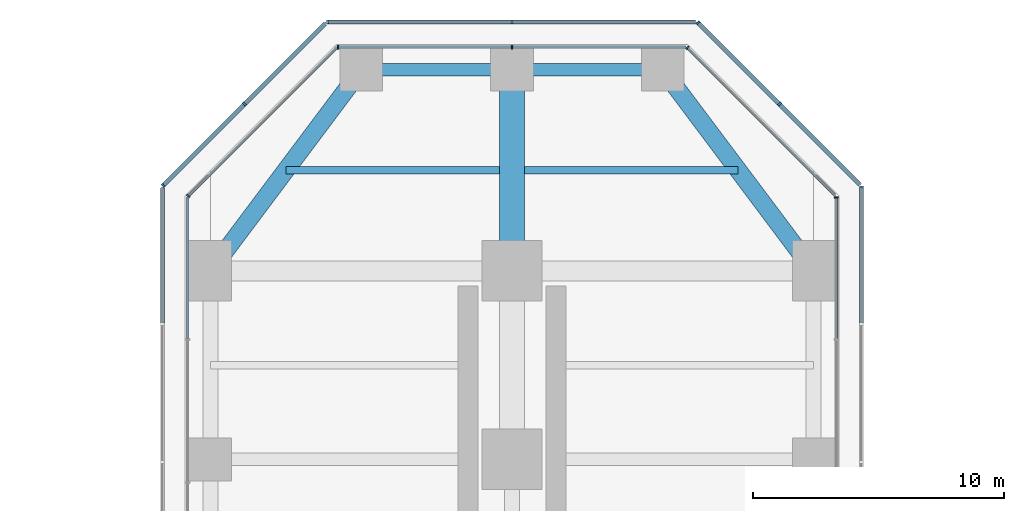
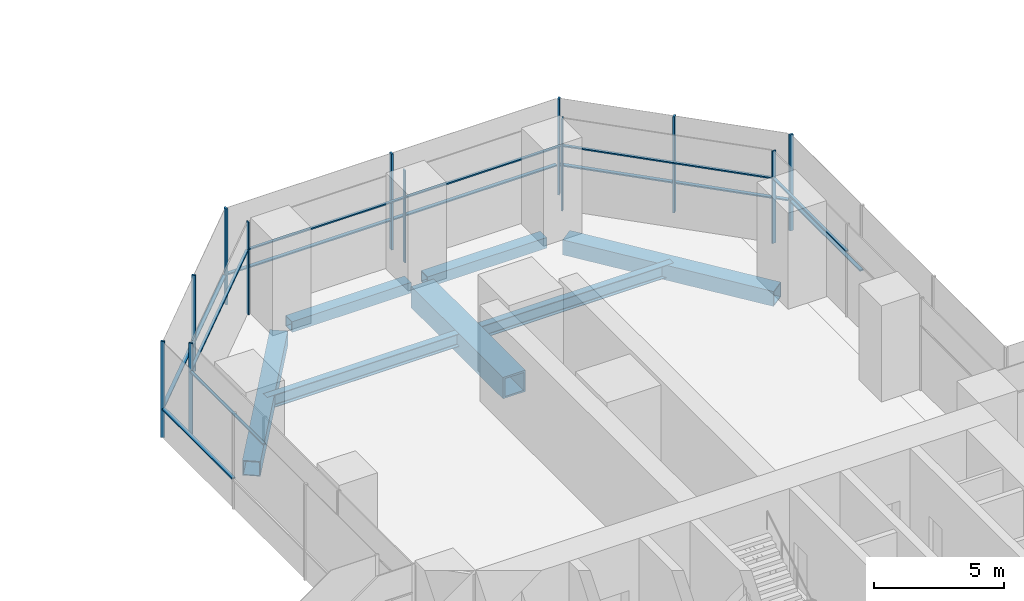
# One storey, part 12 of 27: 26 members, 7 beams, 10 elements without a shape of their own.
"""IFC4 building model written with IfcOpenShell, lengths in metres."""

from ifc_helpers import new_model, si_unit, direction, frame, origin, origin_2d, place, context, subcontext, project, spatial, rectangle, hollow_rectangle, i_section, extrude, material, material_profile, profile_set, type_object, element, aggregate, save


model = new_model("IFC4")

# Units and contexts
model_context = context("Model", 3, precision=1e-05, world=origin(), true_north=direction((0.0, 1.0)))
body_context = subcontext(model_context, "Body", "Model", "MODEL_VIEW")
ifc_project = project(units=[si_unit("LENGTHUNIT", "METRE"), si_unit("AREAUNIT", "SQUARE_METRE"), si_unit("VOLUMEUNIT", "CUBIC_METRE"), si_unit("PLANEANGLEUNIT", "RADIAN"), si_unit("MASSUNIT", "GRAM", prefix="KILO")], contexts=[model_context])

# Site, building, storey
site_placement = place(None, origin())
site = spatial("IfcSite", under=ifc_project, at=site_placement, CompositionType="ELEMENT")
building_placement = place(site_placement, origin())
building = spatial("IfcBuilding", under=site, at=building_placement, Name="Mizan Broadcast Tower", CompositionType="ELEMENT")
storey_placement = place(building_placement, frame((0.0, 0.0, 113.699951171875)))
storey = spatial("IfcBuildingStorey", under=building, at=storey_placement, Name="L25", CompositionType="ELEMENT", Elevation=113.699951171875)

# Beams
ifc_material_1 = material(Name="Steel S355", Category="steel")
ifc_material_profile_1 = material_profile(ifc_material_1, hollow_rectangle(XDim=0.5, YDim=0.5, WallThickness=0.030029296875, at=origin_2d()), Name="BOX 500x500x30")
ifc_profile_set_1 = profile_set([ifc_material_profile_1], Name="Steel S355")
beam_type_1 = type_object("IfcBeamType", Name="EDGE BEAM BOX 500x500x30", PredefinedType="SPANDREL", material=ifc_profile_set_1)
for number, where, z_axis, x_axis, name in (
    (1, (5.639892578125, 35.0, -0.3798828125), (-1.0, 0.0, 0.0), (0.0, -1.0, 0.0), "Edge beam BOX 500x500x30 L25 north arm"),
    (2, (-5.639892578125, 35.0, -0.3798828125), (1.0, 0.0, 0.0), (0.0, 1.0, 0.0), "Edge beam BOX 500x500x30 L25 north arm"),
):
    element("IfcBeam", number, at=place(storey_placement, frame(where, z_axis=z_axis, x_axis=x_axis)), inside=storey, type_object=beam_type_1, Name=name, PredefinedType="SPANDREL", context=body_context, shape_type="SweptSolid", body=[
        extrude(hollow_rectangle(XDim=0.5, YDim=0.5, WallThickness=0.030029296875, at=origin_2d()), origin(), (0.0, 0.0, 1.0), 5.27978515625),
    ])
ifc_material_2 = material(Name="Steel S355", Category="steel")
ifc_material_profile_2 = material_profile(ifc_material_2, hollow_rectangle(XDim=0.699951171875, YDim=0.699951171875, WallThickness=0.0400390625, at=origin_2d()), Name="BOX 700x700x40")
ifc_profile_set_2 = profile_set([ifc_material_profile_2], Name="Steel S355")
beam_type_2 = type_object("IfcBeamType", Name="EDGE BEAM BOX 700x700x40", PredefinedType="SPANDREL", material=ifc_profile_set_2)
for number, where, z_axis, x_axis, name in (
    (3, (11.639892578125, 27.47998046875, -0.47998046875), (-0.599982243973, 0.800013316712, 0.0), (-0.800013316712, -0.599982243973, 0.0), "Edge beam BOX 700x700x40 L25 north arm"),
    (4, (-11.639892578125, 27.47998046875, -0.47998046875), (0.599982243973, 0.800013316712, 0.0), (-0.800013316712, 0.599982243973, 0.0), "Edge beam BOX 700x700x40 L25 north arm"),
):
    element("IfcBeam", number, at=place(storey_placement, frame(where, z_axis=z_axis, x_axis=x_axis)), inside=storey, type_object=beam_type_2, Name=name, PredefinedType="SPANDREL", context=body_context, shape_type="SweptSolid", body=[
        extrude(hollow_rectangle(XDim=0.699951171875, YDim=0.699951171875, WallThickness=0.0400390625, at=origin_2d()), origin(), (0.0, 0.0, 1.0), 8.7998046875),
    ])
ifc_material_3 = material(Name="Steel S460", Category="steel")
ifc_material_profile_3 = material_profile(ifc_material_3, hollow_rectangle(XDim=1.0, YDim=1.0, WallThickness=0.080078125, at=origin_2d()), Name="BOX 1000x1000x80")
ifc_profile_set_3 = profile_set([ifc_material_profile_3], Name="Steel S460")
beam_type_3 = type_object("IfcBeamType", Name="GIRDER BOX 1000x1000x80", PredefinedType="BEAM", material=ifc_profile_set_3)
beam_placement = place(storey_placement, frame((0.0, 27.47998046875, -0.6298828125), z_axis=(0.0, 1.0, 0.0), x_axis=(-1.0, 0.0, 0.0)))
element("IfcBeam", 5, at=beam_placement, inside=storey, type_object=beam_type_3, Name="Girder BOX 1000x1000x80 L25 north arm", PredefinedType="BEAM", context=body_context, shape_type="SweptSolid", body=[
    extrude(hollow_rectangle(XDim=1.0, YDim=1.0, WallThickness=0.080078125, at=origin_2d()), origin(), (0.0, 0.0, 1.0), 7.0400390625),
])

# Curtain wall, member
ifc_material_4 = material(Name="Aluminium framed glazing", Category="aluminium")
curtain_wall_type_1 = type_object("IfcCurtainWallType", Name="INNER SKIN MID ZONE", PredefinedType="USERDEFINED", material=ifc_material_4)
curtain_wall_1_placement = place(storey_placement, origin())
curtain_wall_1 = element("IfcCurtainWall", 6, at=curtain_wall_1_placement, inside=storey, type_object=curtain_wall_type_1, Name="Inner skin mid zone L25 N side", ObjectType="INNER SKIN MID ZONE", PredefinedType="USERDEFINED")
ifc_material_5 = material(Name="Aluminium, pale anodised", Category="aluminium")
ifc_material_profile_4 = material_profile(ifc_material_5, rectangle(XDim=0.159912109375, YDim=0.06005859375, at=origin_2d()), Name="MULLION 160x60")
ifc_profile_set_4 = profile_set([ifc_material_profile_4], Name="Aluminium, pale anodised")
member_type_1 = type_object("IfcMemberType", Name="INNER SKIN MULLION 60x160", PredefinedType="MULLION", material=ifc_profile_set_4)
member_1_placement = place(storey_placement, frame((12.89990234375, 29.928466796875, 0.0), z_axis=(0.0, 0.0, 1.0), x_axis=(-1.0, 0.0, 0.0)))
member_1 = element("IfcMember", 7, at=member_1_placement, type_object=member_type_1, Name="Inner skin mid zone L25 N side mullion 4", PredefinedType="MULLION", context=body_context, shape_type="SweptSolid", body=[
    extrude(rectangle(XDim=0.159912109375, YDim=0.06005859375, at=origin_2d()), origin(), (0.0, 0.0, 1.0), 4.320068359375),
])

curtain_wall_2_placement = place(storey_placement, origin())
curtain_wall_2 = element("IfcCurtainWall", 8, at=curtain_wall_2_placement, inside=storey, type_object=curtain_wall_type_1, Name="Inner skin mid zone L25 N chamfer", ObjectType="INNER SKIN MID ZONE", PredefinedType="USERDEFINED")
member_2_placement = place(storey_placement, frame((6.979736328125, 35.87890625, 0.0), z_axis=(0.0, 0.0, 1.0), x_axis=(-0.707106781187, -0.707106781187, 0.0)))
member_2 = element("IfcMember", 9, at=member_2_placement, type_object=member_type_1, Name="Inner skin mid zone L25 N chamfer mullion 2", PredefinedType="MULLION", context=body_context, shape_type="SweptSolid", body=[
    extrude(rectangle(XDim=0.159912109375, YDim=0.06005859375, at=origin_2d()), origin(), (0.0, 0.0, 1.0), 4.320068359375),
])

# Curtain wall, members
curtain_wall_3_placement = place(storey_placement, origin())
curtain_wall_3 = element("IfcCurtainWall", 10, at=curtain_wall_3_placement, inside=storey, type_object=curtain_wall_type_1, Name="Inner skin mid zone L25 N end", ObjectType="INNER SKIN MID ZONE", PredefinedType="USERDEFINED")
member_3_placement = place(storey_placement, frame((0.0, 35.89990234375, 0.0), z_axis=(0.0, 0.0, 1.0), x_axis=(0.0, -1.0, 0.0)))
member_3 = element("IfcMember", 11, at=member_3_placement, type_object=member_type_1, Name="Inner skin mid zone L25 N end mullion 2", PredefinedType="MULLION", context=body_context, shape_type="SweptSolid", body=[
    extrude(rectangle(XDim=0.159912109375, YDim=0.06005859375, at=origin_2d()), origin(), (0.0, 0.0, 1.0), 4.320068359375),
])
member_4_placement = place(storey_placement, frame((-6.928466796875, 35.89990234375, 0.0), z_axis=(0.0, 0.0, 1.0), x_axis=(0.0, -1.0, 0.0)))
member_4 = element("IfcMember", 12, at=member_4_placement, type_object=member_type_1, Name="Inner skin mid zone L25 N end mullion 3", PredefinedType="MULLION", context=body_context, shape_type="SweptSolid", body=[
    extrude(rectangle(XDim=0.159912109375, YDim=0.06005859375, at=origin_2d()), origin(), (0.0, 0.0, 1.0), 4.320068359375),
])

# Curtain wall, member
curtain_wall_4_placement = place(storey_placement, origin())
curtain_wall_4 = element("IfcCurtainWall", 13, at=curtain_wall_4_placement, inside=storey, type_object=curtain_wall_type_1, Name="Inner skin mid zone L25 N chamfer", ObjectType="INNER SKIN MID ZONE", PredefinedType="USERDEFINED")
member_5_placement = place(storey_placement, frame((-12.87890625, 29.979736328125, 0.0), z_axis=(0.0, 0.0, 1.0), x_axis=(0.707106781187, -0.707106781187, 0.0)))
member_5 = element("IfcMember", 14, at=member_5_placement, type_object=member_type_1, Name="Inner skin mid zone L25 N chamfer mullion 2", PredefinedType="MULLION", context=body_context, shape_type="SweptSolid", body=[
    extrude(rectangle(XDim=0.159912109375, YDim=0.06005859375, at=origin_2d()), origin(), (0.0, 0.0, 1.0), 4.320068359375),
])

# Member
ifc_material_6 = material(Name="Aluminium, pale anodised", Category="aluminium")
ifc_material_profile_5 = material_profile(ifc_material_6, rectangle(XDim=0.1201171875, YDim=0.06005859375, at=origin_2d()), Name="TRANSOM 120x60")
ifc_profile_set_5 = profile_set([ifc_material_profile_5], Name="Aluminium, pale anodised")
member_type_2 = type_object("IfcMemberType", Name="INNER SKIN TRANSOM 60x120", PredefinedType="USERDEFINED", material=ifc_profile_set_5)
member_6_placement = place(storey_placement, frame((12.89990234375, 24.302490234375, 3.030029296875), z_axis=(0.0, 1.0, 0.0), x_axis=(-1.0, 0.0, 0.0)))
member_6 = element("IfcMember", 15, at=member_6_placement, type_object=member_type_2, Name="Inner skin mid zone L25 N side transom 3.1", ObjectType="TRANSOM", PredefinedType="USERDEFINED", context=body_context, shape_type="SweptSolid", body=[
    extrude(rectangle(XDim=0.1201171875, YDim=0.06005859375, at=origin_2d()), origin(), (0.0, 0.0, 1.0), 5.59619140625),
])

aggregate(curtain_wall_1, [member_1, member_6])

member_7_placement = place(storey_placement, frame((12.857666015625, 30.0009765625, 3.030029296875), z_axis=(-0.707106781187, 0.707106781187, 0.0), x_axis=(-0.707106781187, -0.707106781187, 0.0)))
member_7 = element("IfcMember", 16, at=member_7_placement, type_object=member_type_2, Name="Inner skin mid zone L25 N chamfer transom 1.1", ObjectType="TRANSOM", PredefinedType="USERDEFINED", context=body_context, shape_type="SweptSolid", body=[
    extrude(rectangle(XDim=0.1201171875, YDim=0.06005859375, at=origin_2d()), origin(), (0.0, 0.0, 1.0), 8.28271484375),
])

aggregate(curtain_wall_2, [member_2, member_7])

member_8_placement = place(storey_placement, frame((6.898681640625, 35.89990234375, 3.030029296875), z_axis=(-1.0, 0.0, 0.0), x_axis=(0.0, -1.0, 0.0)))
member_8 = element("IfcMember", 17, at=member_8_placement, type_object=member_type_2, Name="Inner skin mid zone L25 N end transom 1.1", ObjectType="TRANSOM", PredefinedType="USERDEFINED", context=body_context, shape_type="SweptSolid", body=[
    extrude(rectangle(XDim=0.1201171875, YDim=0.06005859375, at=origin_2d()), origin(), (0.0, 0.0, 1.0), 6.86865234375),
])

member_9_placement = place(storey_placement, frame((-0.030029296875, 35.89990234375, 3.030029296875), z_axis=(-1.0, 0.0, 0.0), x_axis=(0.0, -1.0, 0.0)))
member_9 = element("IfcMember", 18, at=member_9_placement, type_object=member_type_2, Name="Inner skin mid zone L25 N end transom 2.1", ObjectType="TRANSOM", PredefinedType="USERDEFINED", context=body_context, shape_type="SweptSolid", body=[
    extrude(rectangle(XDim=0.1201171875, YDim=0.06005859375, at=origin_2d()), origin(), (0.0, 0.0, 1.0), 6.86865234375),
])

aggregate(curtain_wall_3, [member_3, member_4, member_8, member_9])

member_10_placement = place(storey_placement, frame((-7.0009765625, 35.857666015625, 3.030029296875), z_axis=(-0.707106781187, -0.707106781187, 0.0), x_axis=(0.707106781187, -0.707106781187, 0.0)))
member_10 = element("IfcMember", 19, at=member_10_placement, type_object=member_type_2, Name="Inner skin mid zone L25 N chamfer transom 1.1", ObjectType="TRANSOM", PredefinedType="USERDEFINED", context=body_context, shape_type="SweptSolid", body=[
    extrude(rectangle(XDim=0.1201171875, YDim=0.06005859375, at=origin_2d()), origin(), (0.0, 0.0, 1.0), 8.28271484375),
])

aggregate(curtain_wall_4, [member_5, member_10])

# Curtain wall, member
curtain_wall_5_placement = place(storey_placement, origin())
curtain_wall_5 = element("IfcCurtainWall", 20, at=curtain_wall_5_placement, inside=storey, type_object=curtain_wall_type_1, Name="Inner skin mid zone L25 N side", ObjectType="INNER SKIN MID ZONE", PredefinedType="USERDEFINED")
member_11_placement = place(storey_placement, frame((-12.89990234375, 29.898681640625, 3.030029296875), z_axis=(0.0, -1.0, 0.0), x_axis=(1.0, 0.0, 0.0)))
member_11 = element("IfcMember", 21, at=member_11_placement, type_object=member_type_2, Name="Inner skin mid zone L25 N side transom 1.1", ObjectType="TRANSOM", PredefinedType="USERDEFINED", context=body_context, shape_type="SweptSolid", body=[
    extrude(rectangle(XDim=0.1201171875, YDim=0.06005859375, at=origin_2d()), origin(), (0.0, 0.0, 1.0), 5.59619140625),
])
aggregate(curtain_wall_5, [member_11])

ifc_material_7 = material(Name="Aluminium framed glazing", Category="aluminium")
curtain_wall_type_2 = type_object("IfcCurtainWallType", Name="OUTER SKIN", PredefinedType="USERDEFINED", material=ifc_material_7)
curtain_wall_6_placement = place(storey_placement, origin())
curtain_wall_6 = element("IfcCurtainWall", 22, at=curtain_wall_6_placement, inside=storey, type_object=curtain_wall_type_2, Name="Outer skin L25 N side", ObjectType="OUTER SKIN", PredefinedType="USERDEFINED")
ifc_material_8 = material(Name="Aluminium, pale anodised", Category="aluminium")
ifc_material_profile_6 = material_profile(ifc_material_8, rectangle(XDim=0.159912109375, YDim=0.080078125, at=origin_2d()), Name="MULLION 160x80")
ifc_profile_set_6 = profile_set([ifc_material_profile_6], Name="Aluminium, pale anodised")
member_type_3 = type_object("IfcMemberType", Name="OUTER SKIN MULLION 80x160", PredefinedType="MULLION", material=ifc_profile_set_6)
member_12_placement = place(storey_placement, frame((13.89990234375, 30.332763671875, 0.0), z_axis=(0.0, 0.0, 1.0), x_axis=(-1.0, 0.0, 0.0)))
member_12 = element("IfcMember", 23, at=member_12_placement, type_object=member_type_3, Name="Outer skin L25 N side mullion 4", PredefinedType="MULLION", context=body_context, shape_type="SweptSolid", body=[
    extrude(rectangle(XDim=0.159912109375, YDim=0.080078125, at=origin_2d()), origin(), (0.0, 0.0, 1.0), 4.5),
])

# Curtain wall, members
curtain_wall_7_placement = place(storey_placement, origin())
curtain_wall_7 = element("IfcCurtainWall", 24, at=curtain_wall_7_placement, inside=storey, type_object=curtain_wall_type_2, Name="Outer skin L25 N chamfer", ObjectType="OUTER SKIN", PredefinedType="USERDEFINED")
member_13_placement = place(storey_placement, frame((10.636474609375, 33.636474609375, 0.0), z_axis=(0.0, 0.0, 1.0), x_axis=(-0.707106781187, -0.707106781187, 0.0)))
member_13 = element("IfcMember", 25, at=member_13_placement, type_object=member_type_3, Name="Outer skin L25 N chamfer mullion 2", PredefinedType="MULLION", context=body_context, shape_type="SweptSolid", body=[
    extrude(rectangle(XDim=0.159912109375, YDim=0.080078125, at=origin_2d()), origin(), (0.0, 0.0, 1.0), 4.5),
])
member_14_placement = place(storey_placement, frame((7.401123046875, 36.871826171875, 0.0), z_axis=(0.0, 0.0, 1.0), x_axis=(-0.707106781187, -0.707106781187, 0.0)))
member_14 = element("IfcMember", 26, at=member_14_placement, type_object=member_type_3, Name="Outer skin L25 N chamfer mullion 3", PredefinedType="MULLION", context=body_context, shape_type="SweptSolid", body=[
    extrude(rectangle(XDim=0.159912109375, YDim=0.080078125, at=origin_2d()), origin(), (0.0, 0.0, 1.0), 4.5),
])

curtain_wall_8_placement = place(storey_placement, origin())
curtain_wall_8 = element("IfcCurtainWall", 27, at=curtain_wall_8_placement, inside=storey, type_object=curtain_wall_type_2, Name="Outer skin L25 N end", ObjectType="OUTER SKIN", PredefinedType="USERDEFINED")
member_15_placement = place(storey_placement, frame((0.0, 36.89990234375, 0.0), z_axis=(0.0, 0.0, 1.0), x_axis=(0.0, -1.0, 0.0)))
member_15 = element("IfcMember", 28, at=member_15_placement, type_object=member_type_3, Name="Outer skin L25 N end mullion 2", PredefinedType="MULLION", context=body_context, shape_type="SweptSolid", body=[
    extrude(rectangle(XDim=0.159912109375, YDim=0.080078125, at=origin_2d()), origin(), (0.0, 0.0, 1.0), 4.5),
])
member_16_placement = place(storey_placement, frame((-7.332763671875, 36.89990234375, 0.0), z_axis=(0.0, 0.0, 1.0), x_axis=(0.0, -1.0, 0.0)))
member_16 = element("IfcMember", 29, at=member_16_placement, type_object=member_type_3, Name="Outer skin L25 N end mullion 3", PredefinedType="MULLION", context=body_context, shape_type="SweptSolid", body=[
    extrude(rectangle(XDim=0.159912109375, YDim=0.080078125, at=origin_2d()), origin(), (0.0, 0.0, 1.0), 4.5),
])

curtain_wall_9_placement = place(storey_placement, origin())
curtain_wall_9 = element("IfcCurtainWall", 30, at=curtain_wall_9_placement, inside=storey, type_object=curtain_wall_type_2, Name="Outer skin L25 N chamfer", ObjectType="OUTER SKIN", PredefinedType="USERDEFINED")
member_17_placement = place(storey_placement, frame((-10.636474609375, 33.636474609375, 0.0), z_axis=(0.0, 0.0, 1.0), x_axis=(0.707106781187, -0.707106781187, 0.0)))
member_17 = element("IfcMember", 31, at=member_17_placement, type_object=member_type_3, Name="Outer skin L25 N chamfer mullion 2", PredefinedType="MULLION", context=body_context, shape_type="SweptSolid", body=[
    extrude(rectangle(XDim=0.159912109375, YDim=0.080078125, at=origin_2d()), origin(), (0.0, 0.0, 1.0), 4.5),
])
member_18_placement = place(storey_placement, frame((-13.871826171875, 30.401123046875, 0.0), z_axis=(0.0, 0.0, 1.0), x_axis=(0.707106781187, -0.707106781187, 0.0)))
member_18 = element("IfcMember", 32, at=member_18_placement, type_object=member_type_3, Name="Outer skin L25 N chamfer mullion 3", PredefinedType="MULLION", context=body_context, shape_type="SweptSolid", body=[
    extrude(rectangle(XDim=0.159912109375, YDim=0.080078125, at=origin_2d()), origin(), (0.0, 0.0, 1.0), 4.5),
])

# Member
ifc_material_9 = material(Name="Aluminium, pale anodised", Category="aluminium")
ifc_material_profile_7 = material_profile(ifc_material_9, rectangle(XDim=0.159912109375, YDim=0.06005859375, at=origin_2d()), Name="TRANSOM 160x60")
ifc_profile_set_7 = profile_set([ifc_material_profile_7], Name="Aluminium, pale anodised")
member_type_4 = type_object("IfcMemberType", Name="OUTER SKIN TRANSOM 60x160", PredefinedType="USERDEFINED", material=ifc_profile_set_7)
member_19_placement = place(storey_placement, frame((13.89990234375, 24.921875, 1.400146484375), z_axis=(0.0, 1.0, 0.0), x_axis=(-1.0, 0.0, 0.0)))
member_19 = element("IfcMember", 33, at=member_19_placement, type_object=member_type_4, Name="Outer skin L25 N side transom 3.1", ObjectType="TRANSOM", PredefinedType="USERDEFINED", context=body_context, shape_type="SweptSolid", body=[
    extrude(rectangle(XDim=0.159912109375, YDim=0.06005859375, at=origin_2d()), origin(), (0.0, 0.0, 1.0), 5.370849609375),
])

aggregate(curtain_wall_6, [member_12, member_19])

member_20_placement = place(storey_placement, frame((13.843505859375, 30.429443359375, 1.400146484375), z_axis=(-0.707106781187, 0.707106781187, 0.0), x_axis=(-0.707106781187, -0.707106781187, 0.0)))
member_20 = element("IfcMember", 34, at=member_20_placement, type_object=member_type_4, Name="Outer skin L25 N chamfer transom 1.1", ObjectType="TRANSOM", PredefinedType="USERDEFINED", context=body_context, shape_type="SweptSolid", body=[
    extrude(rectangle(XDim=0.159912109375, YDim=0.06005859375, at=origin_2d()), origin(), (0.0, 0.0, 1.0), 4.495361328125),
])

member_21_placement = place(storey_placement, frame((10.608154296875, 33.664794921875, 1.400146484375), z_axis=(-0.707106781187, 0.707106781187, 0.0), x_axis=(-0.707106781187, -0.707106781187, 0.0)))
member_21 = element("IfcMember", 35, at=member_21_placement, type_object=member_type_4, Name="Outer skin L25 N chamfer transom 2.1", ObjectType="TRANSOM", PredefinedType="USERDEFINED", context=body_context, shape_type="SweptSolid", body=[
    extrude(rectangle(XDim=0.159912109375, YDim=0.06005859375, at=origin_2d()), origin(), (0.0, 0.0, 1.0), 4.495361328125),
])

aggregate(curtain_wall_7, [member_13, member_14, member_20, member_21])

member_22_placement = place(storey_placement, frame((7.292724609375, 36.89990234375, 1.400146484375), z_axis=(-1.0, 0.0, 0.0), x_axis=(0.0, -1.0, 0.0)))
member_22 = element("IfcMember", 36, at=member_22_placement, type_object=member_type_4, Name="Outer skin L25 N end transom 1.1", ObjectType="TRANSOM", PredefinedType="USERDEFINED", context=body_context, shape_type="SweptSolid", body=[
    extrude(rectangle(XDim=0.159912109375, YDim=0.06005859375, at=origin_2d()), origin(), (0.0, 0.0, 1.0), 7.252685546875),
])

member_23_placement = place(storey_placement, frame((-0.0400390625, 36.89990234375, 1.400146484375), z_axis=(-1.0, 0.0, 0.0), x_axis=(0.0, -1.0, 0.0)))
member_23 = element("IfcMember", 37, at=member_23_placement, type_object=member_type_4, Name="Outer skin L25 N end transom 2.1", ObjectType="TRANSOM", PredefinedType="USERDEFINED", context=body_context, shape_type="SweptSolid", body=[
    extrude(rectangle(XDim=0.159912109375, YDim=0.06005859375, at=origin_2d()), origin(), (0.0, 0.0, 1.0), 7.252685546875),
])

aggregate(curtain_wall_8, [member_15, member_16, member_22, member_23])

member_24_placement = place(storey_placement, frame((-7.429443359375, 36.843505859375, 1.400146484375), z_axis=(-0.707106781187, -0.707106781187, 0.0), x_axis=(0.707106781187, -0.707106781187, 0.0)))
member_24 = element("IfcMember", 38, at=member_24_placement, type_object=member_type_4, Name="Outer skin L25 N chamfer transom 1.1", ObjectType="TRANSOM", PredefinedType="USERDEFINED", context=body_context, shape_type="SweptSolid", body=[
    extrude(rectangle(XDim=0.159912109375, YDim=0.06005859375, at=origin_2d()), origin(), (0.0, 0.0, 1.0), 4.495361328125),
])

member_25_placement = place(storey_placement, frame((-10.664794921875, 33.608154296875, 1.400146484375), z_axis=(-0.707106781187, -0.707106781187, 0.0), x_axis=(0.707106781187, -0.707106781187, 0.0)))
member_25 = element("IfcMember", 39, at=member_25_placement, type_object=member_type_4, Name="Outer skin L25 N chamfer transom 2.1", ObjectType="TRANSOM", PredefinedType="USERDEFINED", context=body_context, shape_type="SweptSolid", body=[
    extrude(rectangle(XDim=0.159912109375, YDim=0.06005859375, at=origin_2d()), origin(), (0.0, 0.0, 1.0), 4.495361328125),
])

aggregate(curtain_wall_9, [member_17, member_18, member_24, member_25])

# Curtain wall, member
curtain_wall_10_placement = place(storey_placement, origin())
curtain_wall_10 = element("IfcCurtainWall", 40, at=curtain_wall_10_placement, inside=storey, type_object=curtain_wall_type_2, Name="Outer skin L25 N side", ObjectType="OUTER SKIN", PredefinedType="USERDEFINED")
member_26_placement = place(storey_placement, frame((-13.89990234375, 30.292724609375, 1.400146484375), z_axis=(0.0, -1.0, 0.0), x_axis=(1.0, 0.0, 0.0)))
member_26 = element("IfcMember", 41, at=member_26_placement, type_object=member_type_4, Name="Outer skin L25 N side transom 1.1", ObjectType="TRANSOM", PredefinedType="USERDEFINED", context=body_context, shape_type="SweptSolid", body=[
    extrude(rectangle(XDim=0.159912109375, YDim=0.06005859375, at=origin_2d()), origin(), (0.0, 0.0, 1.0), 5.370849609375),
])
aggregate(curtain_wall_10, [member_26])

# Beams
ifc_material_10 = material(Name="Steel S355", Category="steel")
ifc_material_profile_8 = material_profile(ifc_material_10, i_section(OverallWidth=0.300048828125, OverallDepth=0.590087890625, WebThickness=0.012939453125, FlangeThickness=0.02490234375, FilletRadius=0.027099609375, at=origin_2d()), Name="HEA 600")
ifc_profile_set_8 = profile_set([ifc_material_profile_8], Name="Steel S355")
beam_type_4 = type_object("IfcBeamType", Name="SECONDARY BEAM HEA 600", PredefinedType="JOIST", material=ifc_profile_set_8)
for number, where, z_axis, x_axis, name in (
    (42, (9.0, 31.0, -0.425048828125), (-1.0, 0.0, 0.0), (0.0, -1.0, 0.0), "Secondary beam HEA 600 L25 north arm"),
    (43, (-9.0, 31.0, -0.425048828125), (1.0, 0.0, 0.0), (0.0, 1.0, 0.0), "Secondary beam HEA 600 L25 north arm"),
):
    element("IfcBeam", number, at=place(storey_placement, frame(where, z_axis=z_axis, x_axis=x_axis)), inside=storey, type_object=beam_type_4, Name=name, PredefinedType="JOIST", context=body_context, shape_type="SweptSolid", body=[
        extrude(i_section(OverallWidth=0.300048828125, OverallDepth=0.590087890625, WebThickness=0.012939453125, FlangeThickness=0.02490234375, FilletRadius=0.027099609375, at=origin_2d()), origin(), (0.0, 0.0, 1.0), 8.5),
    ])

save(model, "model.ifc")
